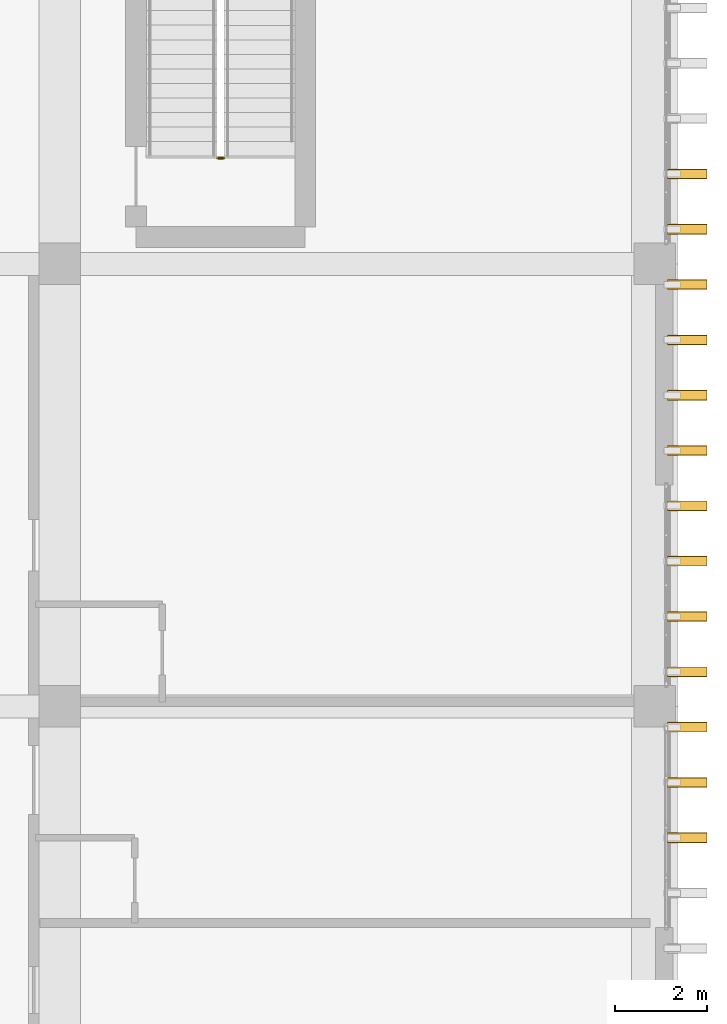
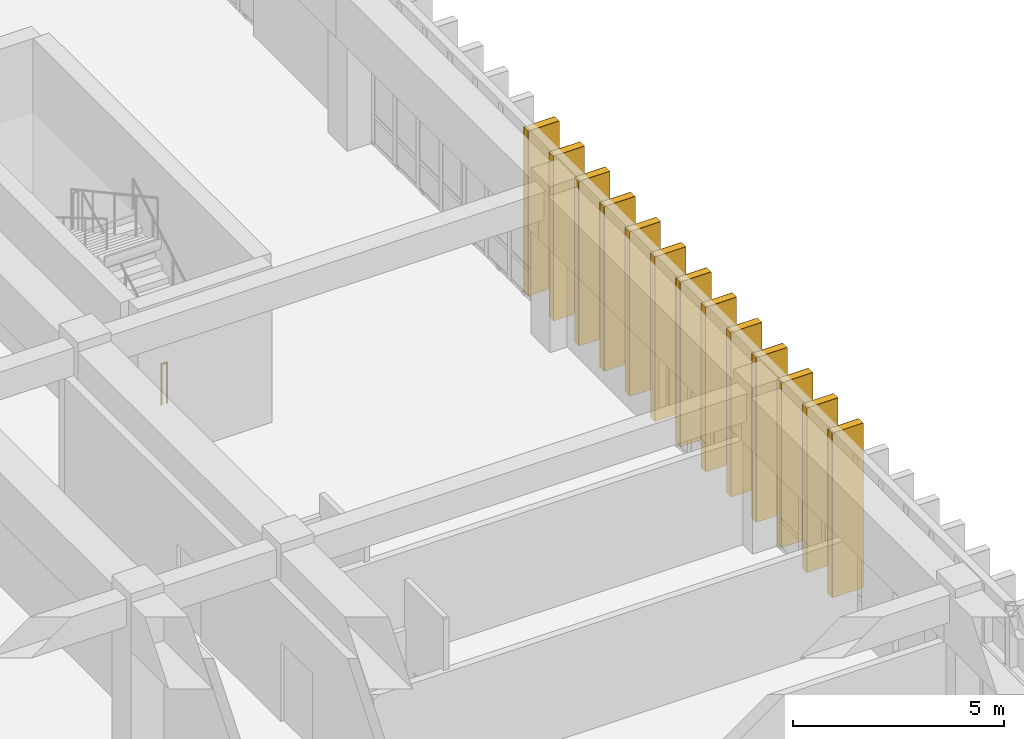
# One storey, part 94 of 101: 13 coverings, 13 shading devices, 1 railing.
"""IFC4 building model written with IfcOpenShell, lengths in metres."""

from ifc_helpers import new_model, si_unit, direction, frame, origin, origin_2d, place, context, subcontext, project, spatial, rectangle, circle, extrude, material, layer, layer_set, type_object, element, save


model = new_model("IFC4")

# Units and contexts
model_context = context("Model", 3, precision=1e-05, world=origin(), true_north=direction((0.0, 1.0)))
body_context = subcontext(model_context, "Body", "Model", "MODEL_VIEW")
ifc_project = project(units=[si_unit("LENGTHUNIT", "METRE"), si_unit("AREAUNIT", "SQUARE_METRE"), si_unit("VOLUMEUNIT", "CUBIC_METRE"), si_unit("PLANEANGLEUNIT", "RADIAN"), si_unit("MASSUNIT", "GRAM", prefix="KILO")], contexts=[model_context])

# Site, building, storey
site_placement = place(None, origin())
site = spatial("IfcSite", under=ifc_project, at=site_placement, CompositionType="ELEMENT")
building_placement = place(site_placement, origin())
building = spatial("IfcBuilding", under=site, at=building_placement, Name="Nakhvara Creek Congress Hotel", CompositionType="ELEMENT")
storey_placement = place(building_placement, frame((0.0, 0.0, 16.199951171875)))
storey = spatial("IfcBuildingStorey", under=building, at=storey_placement, Name="L03", CompositionType="ELEMENT", Elevation=16.199951171875)

# Coverings
ifc_material_1 = material(Name="Honed pale Omani limestone architectural cladding", Category="masonry")
ifc_layer = layer(ifc_material_1, 0.219970703125)
ifc_layer_set = layer_set([ifc_layer], Name="Honed pale Omani limestone architectural cladding")
covering_type = type_object("IfcCoveringType", Name="COV-FIN-850", PredefinedType="CLADDING", material=ifc_layer_set)
for number, where, z_axis, x_axis, name in (
    (1, (180.054931640625, 16.35009765625, 0.0), (0.0, 0.0, 1.0), (0.0, 1.0, 0.0), "Pale Limestone Fin Cladding CF01-1040"),
    (2, (180.054931640625, 17.550048828125, 0.0), (0.0, 0.0, 1.0), (0.0, 1.0, 0.0), "Pale Limestone Fin Cladding CF01-1041"),
    (3, (180.054931640625, 18.75, 0.0), (0.0, 0.0, 1.0), (0.0, 1.0, 0.0), "Pale Limestone Fin Cladding CF01-1042"),
    (4, (180.054931640625, 19.949951171875, 0.0), (0.0, 0.0, 1.0), (0.0, 1.0, 0.0), "Pale Limestone Fin Cladding CF01-1043"),
    (5, (180.054931640625, 21.14990234375, 0.0), (0.0, 0.0, 1.0), (0.0, 1.0, 0.0), "Pale Limestone Fin Cladding CF01-1044"),
    (6, (180.054931640625, 22.35009765625, 0.0), (0.0, 0.0, 1.0), (0.0, 1.0, 0.0), "Pale Limestone Fin Cladding CF01-1045"),
    (7, (180.054931640625, 23.550048828125, 0.0), (0.0, 0.0, 1.0), (0.0, 1.0, 0.0), "Pale Limestone Fin Cladding CF01-1046"),
    (8, (180.054931640625, 24.75, 0.0), (0.0, 0.0, 1.0), (0.0, 1.0, 0.0), "Pale Limestone Fin Cladding CF01-1047"),
    (9, (180.054931640625, 25.949951171875, 0.0), (0.0, 0.0, 1.0), (0.0, 1.0, 0.0), "Pale Limestone Fin Cladding CF01-1048"),
    (10, (180.054931640625, 27.14990234375, 0.0), (0.0, 0.0, 1.0), (0.0, 1.0, 0.0), "Pale Limestone Fin Cladding CF01-1049"),
    (11, (180.054931640625, 28.35009765625, 0.0), (0.0, 0.0, 1.0), (0.0, 1.0, 0.0), "Pale Limestone Fin Cladding CF01-1050"),
    (12, (180.054931640625, 29.550048828125, 0.0), (0.0, 0.0, 1.0), (0.0, 1.0, 0.0), "Pale Limestone Fin Cladding CF01-1051"),
    (13, (180.054931640625, 30.75, 0.0), (0.0, 0.0, 1.0), (0.0, 1.0, 0.0), "Pale Limestone Fin Cladding CF01-1052"),
):
    element("IfcCovering", number, at=place(storey_placement, frame(where, z_axis=z_axis, x_axis=x_axis)), inside=storey, type_object=covering_type, Name=name, PredefinedType="CLADDING", context=body_context, shape_type="SweptSolid", body=[
        extrude(rectangle(XDim=0.219970703125, YDim=0.85009765625, at=origin_2d()), origin(), (0.0, 0.0, 1.0), 4.760009765625),
    ])

# Railing
ifc_material_2 = material(Name="Brushed stainless steel 316L", Category="steel")
railing_type = type_object("IfcRailingType", Name="RL-GUARD-1200", PredefinedType="GUARDRAIL", material=ifc_material_2)
railing_placement = place(storey_placement, frame((170.010009765625, 31.090087890625, 0.0)))
element("IfcRailing", 14, at=railing_placement, inside=storey, type_object=railing_type, Name="L03 ST03 stair guard 4", PredefinedType="GUARDRAIL", context=body_context, shape_type="SweptSolid", body=[
    extrude(circle(Radius=0.02392578125, at=origin_2d()), frame((-0.0146484375, 0.0, 1.17578125), z_axis=(-1.0, 0.0, 0.0), x_axis=(0.0, -1.0, 0.0)), (0.0, 0.0, 1.0), 0.12060546875),
    extrude(circle(Radius=0.02099609375, at=origin_2d()), origin(), (0.0, 0.0, 1.0), 1.1806640625),
    extrude(circle(Radius=0.02099609375, at=origin_2d()), frame((-0.14990234375, 0.0, 0.0)), (0.0, 0.0, 1.0), 1.1806640625),
])

# Shading devices
ifc_material_3 = material(Name="Honed pale Omani limestone cladding on stainless steel spine", Category="masonry")
shading_device_type = type_object("IfcShadingDeviceType", Name="SHD-FIN-850X4700", PredefinedType="USERDEFINED", material=ifc_material_3)
for number, where, z_axis, x_axis, name in (
    (15, (180.054931640625, 16.35009765625, 0.0), (0.0, 0.0, 1.0), (0.0, 1.0, 0.0), "Limestone Solar Fin FN02-0905"),
    (16, (180.054931640625, 17.550048828125, 0.0), (0.0, 0.0, 1.0), (0.0, 1.0, 0.0), "Limestone Solar Fin FN02-0906"),
    (17, (180.054931640625, 18.75, 0.0), (0.0, 0.0, 1.0), (0.0, 1.0, 0.0), "Limestone Solar Fin FN02-0907"),
    (18, (180.054931640625, 19.949951171875, 0.0), (0.0, 0.0, 1.0), (0.0, 1.0, 0.0), "Limestone Solar Fin FN02-0908"),
    (19, (180.054931640625, 21.14990234375, 0.0), (0.0, 0.0, 1.0), (0.0, 1.0, 0.0), "Limestone Solar Fin FN02-0909"),
    (20, (180.054931640625, 22.35009765625, 0.0), (0.0, 0.0, 1.0), (0.0, 1.0, 0.0), "Limestone Solar Fin FN02-0910"),
    (21, (180.054931640625, 23.550048828125, 0.0), (0.0, 0.0, 1.0), (0.0, 1.0, 0.0), "Limestone Solar Fin FN02-0911"),
    (22, (180.054931640625, 24.75, 0.0), (0.0, 0.0, 1.0), (0.0, 1.0, 0.0), "Limestone Solar Fin FN02-0912"),
    (23, (180.054931640625, 25.949951171875, 0.0), (0.0, 0.0, 1.0), (0.0, 1.0, 0.0), "Limestone Solar Fin FN02-0913"),
    (24, (180.054931640625, 27.14990234375, 0.0), (0.0, 0.0, 1.0), (0.0, 1.0, 0.0), "Limestone Solar Fin FN02-0914"),
    (25, (180.054931640625, 28.35009765625, 0.0), (0.0, 0.0, 1.0), (0.0, 1.0, 0.0), "Limestone Solar Fin FN02-0915"),
    (26, (180.054931640625, 29.550048828125, 0.0), (0.0, 0.0, 1.0), (0.0, 1.0, 0.0), "Limestone Solar Fin FN02-0916"),
    (27, (180.054931640625, 30.75, 0.0), (0.0, 0.0, 1.0), (0.0, 1.0, 0.0), "Limestone Solar Fin FN02-0917"),
):
    element("IfcShadingDevice", number, at=place(storey_placement, frame(where, z_axis=z_axis, x_axis=x_axis)), inside=storey, type_object=shading_device_type, Name=name, ObjectType="FIN", PredefinedType="USERDEFINED", context=body_context, shape_type="SweptSolid", body=[
        extrude(rectangle(XDim=0.199951171875, YDim=0.85009765625, at=origin_2d()), origin(), (0.0, 0.0, 1.0), 4.760009765625),
    ])

save(model, "model.ifc")
